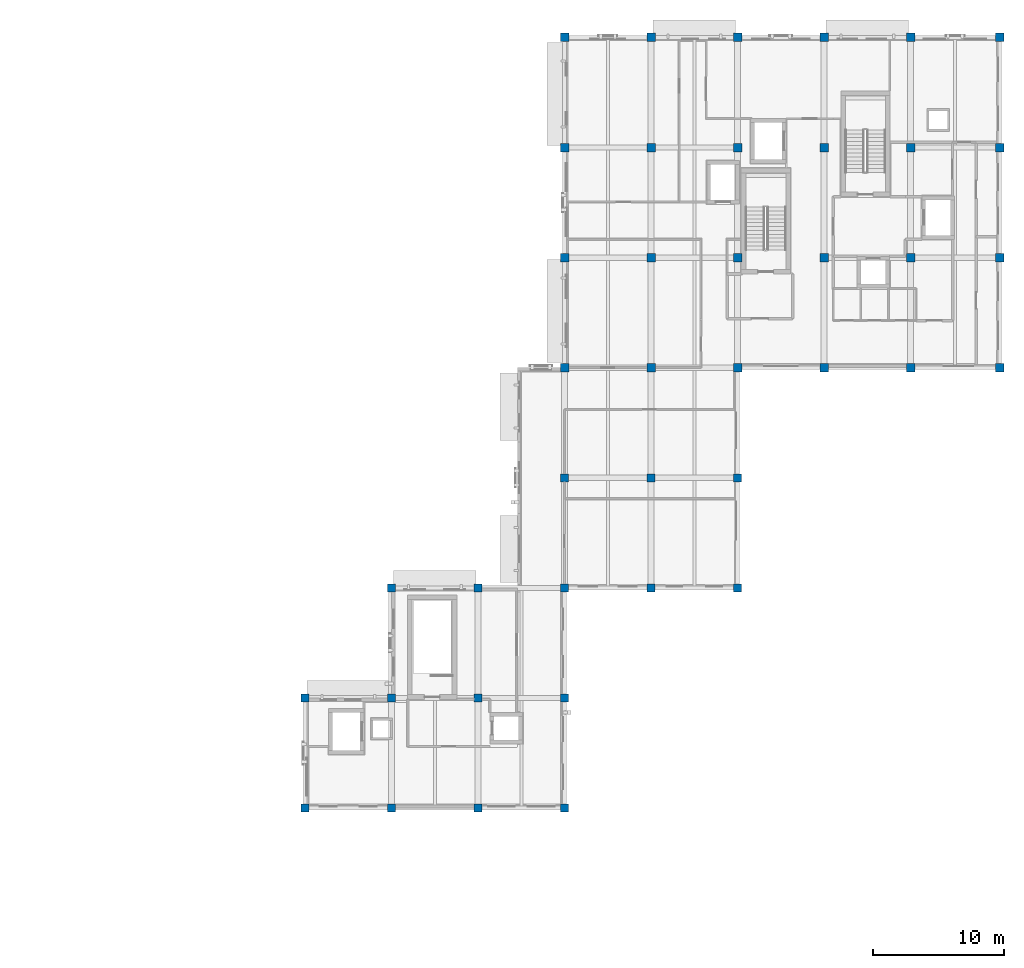
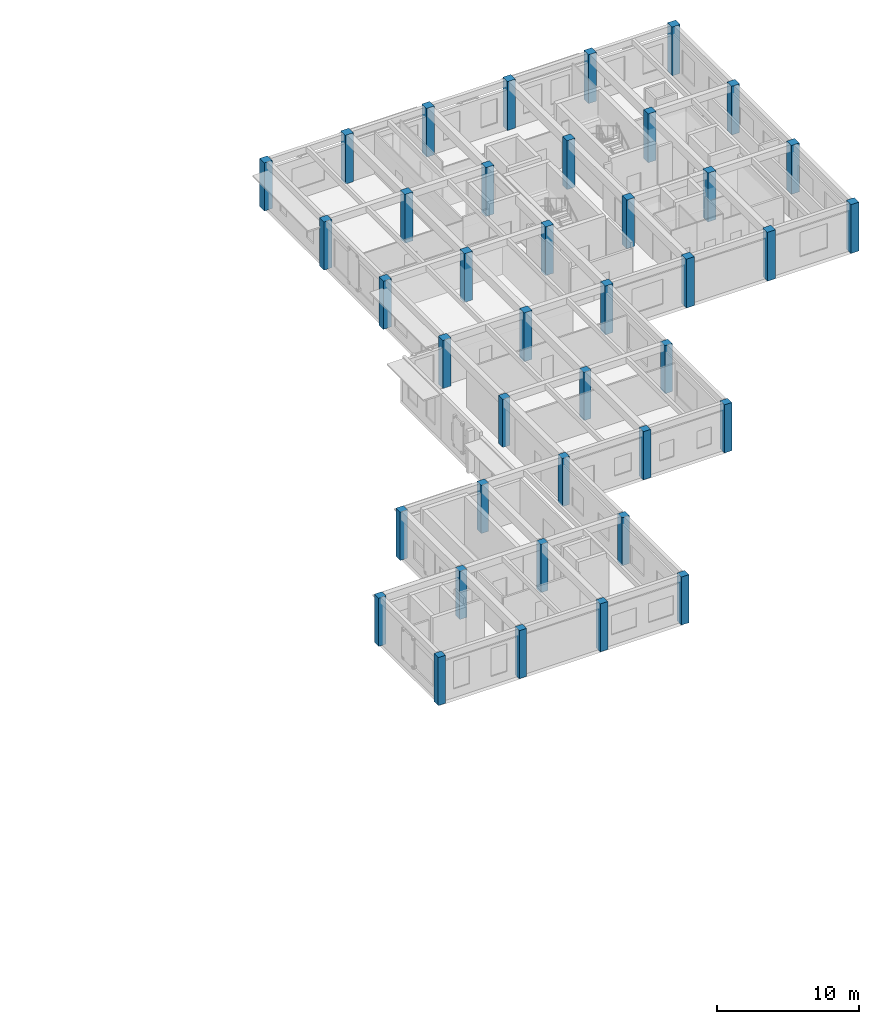
# One storey, part 1 of 14: 40 columns.
"""IFC4 building model written with IfcOpenShell, lengths in metres."""

import ifcopenshell
import ifcopenshell.guid

model = None  # the IFC model being written
_history = None  # IfcOwnerHistory: only IFC2X3 demands one
_inside = {}  # id of a spatial element -> (the spatial element, [elements in it])
_under = {}  # id of a project, library or spatial element -> (it, [spatial elements below it])
_declared = {}  # id of a project -> (the project, [libraries it declares])
_typed = {}  # id of a type object -> (the type object, [elements of that type])
_made_of = {}  # id of a material, layer set ... -> (it, [elements and type objects made of it])


def new_model(schema):
    """Start an empty IFC model of exactly this schema.

    Asked for "IFC4X3", IfcOpenShell would pick the latest addendum, in which some entities
    have other attributes; the version numbers below select the first issue.
    IFC2X3 requires an IfcOwnerHistory on every rooted entity: one is made here for all.
    """
    global model, _history
    if schema == "IFC4X3":
        model = ifcopenshell.file(schema_version=(4, 3, 0, 0))
    else:
        model = ifcopenshell.file(schema=schema)
    _inside.clear()
    _under.clear()
    _declared.clear()
    _typed.clear()
    _made_of.clear()
    _history = None
    if model.schema == "IFC2X3":
        org = make("IfcOrganization", Name="unknown")
        user = make(
            "IfcPersonAndOrganization",
            ThePerson=make("IfcPerson", FamilyName="unknown"),
            TheOrganization=org,
        )
        app = make(
            "IfcApplication",
            ApplicationDeveloper=org,
            Version="unknown",
            ApplicationFullName="unknown",
            ApplicationIdentifier="unknown",
        )
        _history = make(
            "IfcOwnerHistory",
            OwningUser=user,
            OwningApplication=app,
            ChangeAction="ADDED",
            CreationDate=0,
        )
    return model


def make(cls, **values):
    """One entity of the class cls with the attributes given. An attribute that is None is left unset."""
    return model.create_entity(
        cls, **{name: value for name, value in values.items() if value is not None}
    )


def rooted(cls, **values):
    """An entity with a GlobalId (a new one), such as an element, a storey or a relation."""
    return make(cls, GlobalId=ifcopenshell.guid.new(), OwnerHistory=_history, **values)


def si_unit(unit_type, name, prefix=None):
    """IfcSIUnit, for example si_unit("LENGTHUNIT", "METRE", prefix="MILLI")."""
    return make("IfcSIUnit", UnitType=unit_type, Prefix=prefix, Name=name)


def assignment(units):
    """IfcUnitAssignment: the units of a project."""
    return None if units is None else make("IfcUnitAssignment", Units=units)


def point(xyz):
    """IfcCartesianPoint."""
    return None if xyz is None else make("IfcCartesianPoint", Coordinates=xyz)


def direction(xyz):
    """IfcDirection."""
    return None if xyz is None else make("IfcDirection", DirectionRatios=xyz)


def frame(location, z_axis=None, x_axis=None):
    """IfcAxis2Placement3D, a coordinate frame: its origin and axes. An axis left out is left unset."""
    return make(
        "IfcAxis2Placement3D",
        Location=point(location),
        Axis=direction(z_axis),
        RefDirection=direction(x_axis),
    )


def frame_2d(location, x_axis=None):
    """IfcAxis2Placement2D, a coordinate frame in the plane: its origin and x axis."""
    return make(
        "IfcAxis2Placement2D", Location=point(location), RefDirection=direction(x_axis)
    )


def origin():
    """The frame at (0, 0, 0) with its axes left unset."""
    return frame((0.0, 0.0, 0.0))


def origin_2d():
    """The frame at (0, 0) in the plane with its x axis left unset."""
    return frame_2d((0.0, 0.0))


def place(relative_to, where):
    """IfcLocalPlacement: puts the frame where relative to a parent placement (None: the world)."""
    return make(
        "IfcLocalPlacement", PlacementRelTo=relative_to, RelativePlacement=where
    )


def context(
    kind, dimensions, precision=None, world=None, true_north=None, identifier=None
):
    """IfcGeometricRepresentationContext, for example the 3D "Model" context."""
    return make(
        "IfcGeometricRepresentationContext",
        ContextIdentifier=identifier,
        ContextType=kind,
        CoordinateSpaceDimension=dimensions,
        Precision=precision,
        WorldCoordinateSystem=world,
        TrueNorth=true_north,
    )


def subcontext(parent, identifier, kind, view, scale=None):
    """IfcGeometricRepresentationSubContext, for example "Body" below "Model"."""
    return make(
        "IfcGeometricRepresentationSubContext",
        ContextIdentifier=identifier,
        ContextType=kind,
        ParentContext=parent,
        TargetScale=scale,
        TargetView=view,
    )


def project(units=None, contexts=None):
    """IfcProject with its units and contexts."""
    return rooted(
        "IfcProject",
        Name="project",
        RepresentationContexts=contexts,
        UnitsInContext=assignment(units),
    )


def spatial(cls, under=None, at=None, **own):
    """A site, building, storey or space (cls), placed at a placement, below another one or the project."""
    s = rooted(cls, ObjectPlacement=at, **own)
    if under is not None:
        _under.setdefault(under.id(), (under, []))[1].append(s)
    return s


def profile(cls, at=None, kind="AREA", **sizes):
    """A parametric profile (cls). Its sizes go by their IFC names, for example OverallWidth=200.0."""
    return make(cls, ProfileType=kind, Position=at, **sizes)


def rectangle(**sizes):
    """IfcRectangleProfileDef."""
    return profile("IfcRectangleProfileDef", **sizes)


def extrude(swept, where, along, depth):
    """IfcExtrudedAreaSolid: the profile swept, set in the frame where, extruded along a direction by depth."""
    return make(
        "IfcExtrudedAreaSolid",
        SweptArea=swept,
        Position=where,
        ExtrudedDirection=direction(along),
        Depth=depth,
    )


def shape(context_of_items, identifier, shape_type, items):
    """IfcShapeRepresentation: the items that make up one representation, for example the "Body"."""
    return make(
        "IfcShapeRepresentation",
        ContextOfItems=context_of_items,
        RepresentationIdentifier=identifier,
        RepresentationType=shape_type,
        Items=items,
    )


def material(Name=None, Category=None):
    """IfcMaterial."""
    return make("IfcMaterial", Name=Name, Category=Category)


def material_profile(
    of_material, cross_section, Name=None, Category=None, Priority=None
):
    """IfcMaterialProfile: a cross section and its material."""
    return make(
        "IfcMaterialProfile",
        Name=Name,
        Material=of_material,
        Profile=cross_section,
        Priority=Priority,
        Category=Category,
    )


def profile_set(profiles, Name=None, composite=None):
    """IfcMaterialProfileSet."""
    return make(
        "IfcMaterialProfileSet",
        Name=Name,
        MaterialProfiles=profiles,
        CompositeProfile=composite,
    )


def made_of(thing, what):
    """Note that an element or type object is made of a material, layer set ...; save() writes the relation."""
    if what is not None:
        _made_of.setdefault(what.id(), (what, []))[1].append(thing)
    return thing


def type_object(cls, material=None, **own):
    """A type object (cls), such as IfcWallType, which elements share."""
    return made_of(rooted(cls, **own), material)


def element(
    cls,
    number,
    at=None,
    inside=None,
    cuts=None,
    type_object=None,
    material=None,
    context=None,
    identifier="Body",
    shape_type=None,
    held_by="IfcProductDefinitionShape",
    body=None,
    shapes=None,
    **own,
):
    """One element of the class cls, such as IfcWall. Its Tag is "e" and its number.

    at: its placement. inside: the storey or other place that contains it. cuts: it is an
    opening in that element (IfcRelVoidsElement). A single representation is given by context,
    identifier, shape_type and body (its items); several are given by shapes. held_by: the class
    of the entity that holds the representations. save() writes the other relations.
    """
    e = rooted(cls, Tag="e%d" % number, ObjectPlacement=at, **own)
    if body is not None:
        shapes = [shape(context, identifier, shape_type, body)]
    if shapes is not None:
        e.Representation = make(held_by, Representations=shapes)
    if inside is not None:
        _inside.setdefault(inside.id(), (inside, []))[1].append(e)
    if cuts is not None:
        rooted(
            "IfcRelVoidsElement", RelatingBuildingElement=cuts, RelatedOpeningElement=e
        )
    if type_object is not None:
        _typed.setdefault(type_object.id(), (type_object, []))[1].append(e)
    return made_of(e, material)


def aggregate(whole, parts):
    """IfcRelAggregates: a whole, such as a stair, and the parts it consists of."""
    return rooted("IfcRelAggregates", RelatingObject=whole, RelatedObjects=parts)


def save(model, path):
    """Write the relations noted so far, then the file.

    IfcRelAggregates (storeys below a building ...), IfcRelContainedInSpatialStructure (elements
    in a storey), IfcRelDefinesByType, IfcRelAssociatesMaterial and IfcRelDeclares: one each for
    every whole, place, type object, material and project.
    """
    for whole, parts in _under.values():
        aggregate(whole, parts)
    for where, things in _inside.values():
        rooted(
            "IfcRelContainedInSpatialStructure",
            RelatedElements=things,
            RelatingStructure=where,
        )
    for kind, things in _typed.values():
        rooted("IfcRelDefinesByType", RelatedObjects=things, RelatingType=kind)
    for what, things in _made_of.values():
        rooted("IfcRelAssociatesMaterial", RelatedObjects=things, RelatingMaterial=what)
    for by, libraries in _declared.values():
        rooted("IfcRelDeclares", RelatingContext=by, RelatedDefinitions=libraries)
    model.write(path)


model = new_model("IFC4")

# Units and contexts
model_context = context("Model", 3, precision=1e-05, world=origin(), true_north=direction((0.0, 1.0)))
body_context = subcontext(model_context, "Body", "Model", "MODEL_VIEW")
ifc_project = project(units=[si_unit("LENGTHUNIT", "METRE"), si_unit("AREAUNIT", "SQUARE_METRE"), si_unit("VOLUMEUNIT", "CUBIC_METRE"), si_unit("PLANEANGLEUNIT", "RADIAN"), si_unit("MASSUNIT", "GRAM", prefix="KILO")], contexts=[model_context])

# Site, building, storey
site_placement = place(None, origin())
site = spatial("IfcSite", under=ifc_project, at=site_placement, CompositionType="ELEMENT")
building_placement = place(site_placement, origin())
building = spatial("IfcBuilding", under=site, at=building_placement, Name="Kolvaren Faculty of Natural Sciences", CompositionType="ELEMENT")
storey_placement = place(building_placement, frame((0.0, 0.0, 28.5)))
storey = spatial("IfcBuildingStorey", under=building, at=storey_placement, Name="L06", CompositionType="ELEMENT", Elevation=28.5)

# Columns
ifc_material = material(Name="Concrete C35/45", Category="concrete")
ifc_material_profile_1 = material_profile(ifc_material, rectangle(XDim=0.60009765625, YDim=0.60009765625, at=origin_2d()), Name="RC COL 600x600")
ifc_profile_set_1 = profile_set([ifc_material_profile_1], Name="Concrete C35/45")
column_type_1 = type_object("IfcColumnType", Name="FrameColumn_600x600", PredefinedType="COLUMN", material=ifc_profile_set_1)
for number, where, z_axis, x_axis, name in (
    (1, (119.0, 25.39990234375, 0.0), (0.0, 0.0, 1.0), (1.0, 0.0, 0.0), "L06 column FC-60 at 19/D"),
    (2, (119.0, 33.800048828125, 0.0), (0.0, 0.0, 1.0), (1.0, 0.0, 0.0), "L06 column FC-60 at 19/E"),
    (3, (125.60009765625, 25.39990234375, 0.0), (0.0, 0.0, 1.0), (1.0, 0.0, 0.0), "L06 column FC-60 at 20/D"),
    (4, (125.60009765625, 33.800048828125, 0.0), (0.0, 0.0, 1.0), (1.0, 0.0, 0.0), "L06 column FC-60 at 20/E"),
    (5, (125.60009765625, 42.199951171875, 0.0), (0.0, 0.0, 1.0), (1.0, 0.0, 0.0), "L06 column FC-60 at 20/F"),
    (6, (132.199951171875, 25.39990234375, 0.0), (0.0, 0.0, 1.0), (1.0, 0.0, 0.0), "L06 column FC-60 at 21/D"),
    (7, (132.199951171875, 33.800048828125, 0.0), (0.0, 0.0, 1.0), (1.0, 0.0, 0.0), "L06 column FC-60 at 21/E"),
    (8, (132.199951171875, 42.199951171875, 0.0), (0.0, 0.0, 1.0), (1.0, 0.0, 0.0), "L06 column FC-60 at 21/F"),
    (9, (138.800048828125, 25.39990234375, 0.0), (0.0, 0.0, 1.0), (1.0, 0.0, 0.0), "L06 column FC-60 at 22/D"),
    (10, (138.800048828125, 33.800048828125, 0.0), (0.0, 0.0, 1.0), (1.0, 0.0, 0.0), "L06 column FC-60 at 22/E"),
    (11, (138.800048828125, 42.199951171875, 0.0), (0.0, 0.0, 1.0), (1.0, 0.0, 0.0), "L06 column FC-60 at 22/F"),
    (12, (138.800048828125, 50.60009765625, 0.0), (0.0, 0.0, 1.0), (1.0, 0.0, 0.0), "L06 column FC-60 at 22/G"),
    (13, (145.39990234375, 42.199951171875, 0.0), (0.0, 0.0, 1.0), (1.0, 0.0, 0.0), "L06 column FC-60 at 23/F"),
    (14, (145.39990234375, 50.60009765625, 0.0), (0.0, 0.0, 1.0), (1.0, 0.0, 0.0), "L06 column FC-60 at 23/G"),
    (15, (152.0, 42.199951171875, 0.0), (0.0, 0.0, 1.0), (1.0, 0.0, 0.0), "L06 column FC-60 at 24/F"),
    (16, (152.0, 50.60009765625, 0.0), (0.0, 0.0, 1.0), (1.0, 0.0, 0.0), "L06 column FC-60 at 24/G"),
):
    element("IfcColumn", number, at=place(storey_placement, frame(where, z_axis=z_axis, x_axis=x_axis)), inside=storey, type_object=column_type_1, Name=name, PredefinedType="COLUMN", context=body_context, shape_type="SweptSolid", body=[
        extrude(rectangle(XDim=0.60009765625, YDim=0.60009765625, at=origin_2d()), origin(), (0.0, 0.0, 1.0), 4.139892578125),
    ])
ifc_material_profile_2 = material_profile(ifc_material, rectangle(XDim=0.64990234375, YDim=0.64990234375, at=origin_2d()), Name="RC COL 650x650")
ifc_profile_set_2 = profile_set([ifc_material_profile_2], Name="Concrete C35/45")
column_type_2 = type_object("IfcColumnType", Name="WingColumn_650x650", PredefinedType="COLUMN", material=ifc_profile_set_2)
for number, where, z_axis, x_axis, name in (
    (17, (138.800048828125, 59.0, 0.0), (0.0, 0.0, 1.0), (1.0, 0.0, 0.0), "L06 column WC-65 at 22/H"),
    (18, (138.800048828125, 67.39990234375, 0.0), (0.0, 0.0, 1.0), (1.0, 0.0, 0.0), "L06 column WC-65 at 22/J"),
    (19, (138.800048828125, 75.800048828125, 0.0), (0.0, 0.0, 1.0), (1.0, 0.0, 0.0), "L06 column WC-65 at 22/K"),
    (20, (138.800048828125, 84.199951171875, 0.0), (0.0, 0.0, 1.0), (1.0, 0.0, 0.0), "L06 column WC-65 at 22/L"),
):
    element("IfcColumn", number, at=place(storey_placement, frame(where, z_axis=z_axis, x_axis=x_axis)), inside=storey, type_object=column_type_2, Name=name, PredefinedType="COLUMN", context=body_context, shape_type="SweptSolid", body=[
        extrude(rectangle(XDim=0.64990234375, YDim=0.64990234375, at=origin_2d()), origin(), (0.0, 0.0, 1.0), 4.139892578125),
    ])
for number, where, z_axis, x_axis, name in (
    (21, (145.39990234375, 59.0, 0.0), (0.0, 0.0, 1.0), (1.0, 0.0, 0.0), "L06 column WC-65 at 23/H"),
    (22, (145.39990234375, 67.39990234375, 0.0), (0.0, 0.0, 1.0), (1.0, 0.0, 0.0), "L06 column WC-65 at 23/J"),
    (23, (145.39990234375, 75.800048828125, 0.0), (0.0, 0.0, 1.0), (1.0, 0.0, 0.0), "L06 column WC-65 at 23/K"),
    (24, (145.39990234375, 84.199951171875, 0.0), (0.0, 0.0, 1.0), (1.0, 0.0, 0.0), "L06 column WC-65 at 23/L"),
    (25, (152.0, 59.0, 0.0), (0.0, 0.0, 1.0), (1.0, 0.0, 0.0), "L06 column WC-65 at 24/H"),
    (26, (152.0, 67.39990234375, 0.0), (0.0, 0.0, 1.0), (1.0, 0.0, 0.0), "L06 column WC-65 at 24/J"),
    (27, (152.0, 75.800048828125, 0.0), (0.0, 0.0, 1.0), (1.0, 0.0, 0.0), "L06 column WC-65 at 24/K"),
    (28, (152.0, 84.199951171875, 0.0), (0.0, 0.0, 1.0), (1.0, 0.0, 0.0), "L06 column WC-65 at 24/L"),
    (29, (158.60009765625, 59.0, 0.0), (0.0, 0.0, 1.0), (1.0, 0.0, 0.0), "L06 column WC-65 at 25/H"),
    (30, (158.60009765625, 67.39990234375, 0.0), (0.0, 0.0, 1.0), (1.0, 0.0, 0.0), "L06 column WC-65 at 25/J"),
    (31, (158.60009765625, 75.800048828125, 0.0), (0.0, 0.0, 1.0), (1.0, 0.0, 0.0), "L06 column WC-65 at 25/K"),
    (32, (158.60009765625, 84.199951171875, 0.0), (0.0, 0.0, 1.0), (1.0, 0.0, 0.0), "L06 column WC-65 at 25/L"),
    (33, (165.199951171875, 59.0, 0.0), (0.0, 0.0, 1.0), (1.0, 0.0, 0.0), "L06 column WC-65 at 26/H"),
    (34, (165.199951171875, 67.39990234375, 0.0), (0.0, 0.0, 1.0), (1.0, 0.0, 0.0), "L06 column WC-65 at 26/J"),
    (35, (165.199951171875, 75.800048828125, 0.0), (0.0, 0.0, 1.0), (1.0, 0.0, 0.0), "L06 column WC-65 at 26/K"),
    (36, (165.199951171875, 84.199951171875, 0.0), (0.0, 0.0, 1.0), (1.0, 0.0, 0.0), "L06 column WC-65 at 26/L"),
    (37, (172.0, 59.0, 0.0), (0.0, 0.0, 1.0), (1.0, 0.0, 0.0), "L06 column WC-65 at 27/H"),
    (38, (172.0, 67.39990234375, 0.0), (0.0, 0.0, 1.0), (1.0, 0.0, 0.0), "L06 column WC-65 at 27/J"),
    (39, (172.0, 75.800048828125, 0.0), (0.0, 0.0, 1.0), (1.0, 0.0, 0.0), "L06 column WC-65 at 27/K"),
    (40, (172.0, 84.199951171875, 0.0), (0.0, 0.0, 1.0), (1.0, 0.0, 0.0), "L06 column WC-65 at 27/L"),
):
    element("IfcColumn", number, at=place(storey_placement, frame(where, z_axis=z_axis, x_axis=x_axis)), inside=storey, type_object=column_type_2, Name=name, PredefinedType="COLUMN", context=body_context, shape_type="SweptSolid", body=[
        extrude(rectangle(XDim=0.64990234375, YDim=0.64990234375, at=origin_2d()), origin(), (0.0, 0.0, 1.0), 4.199951171875),
    ])

save(model, "model.ifc")
